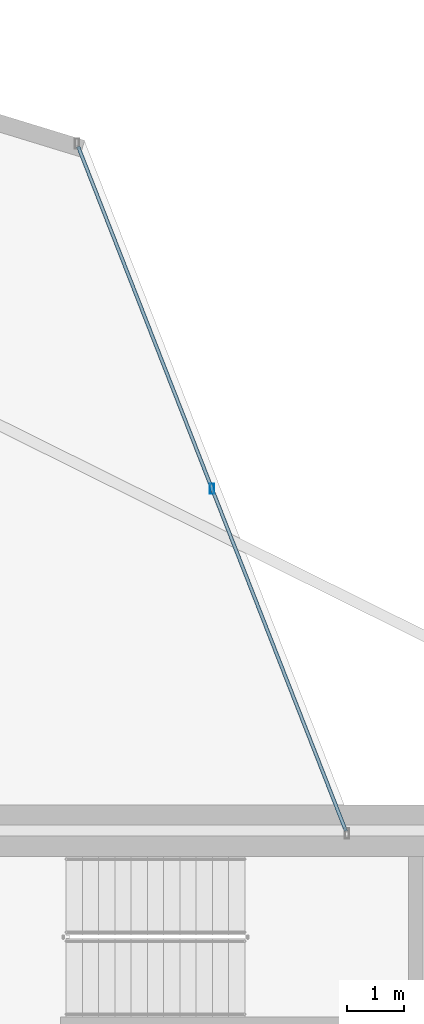
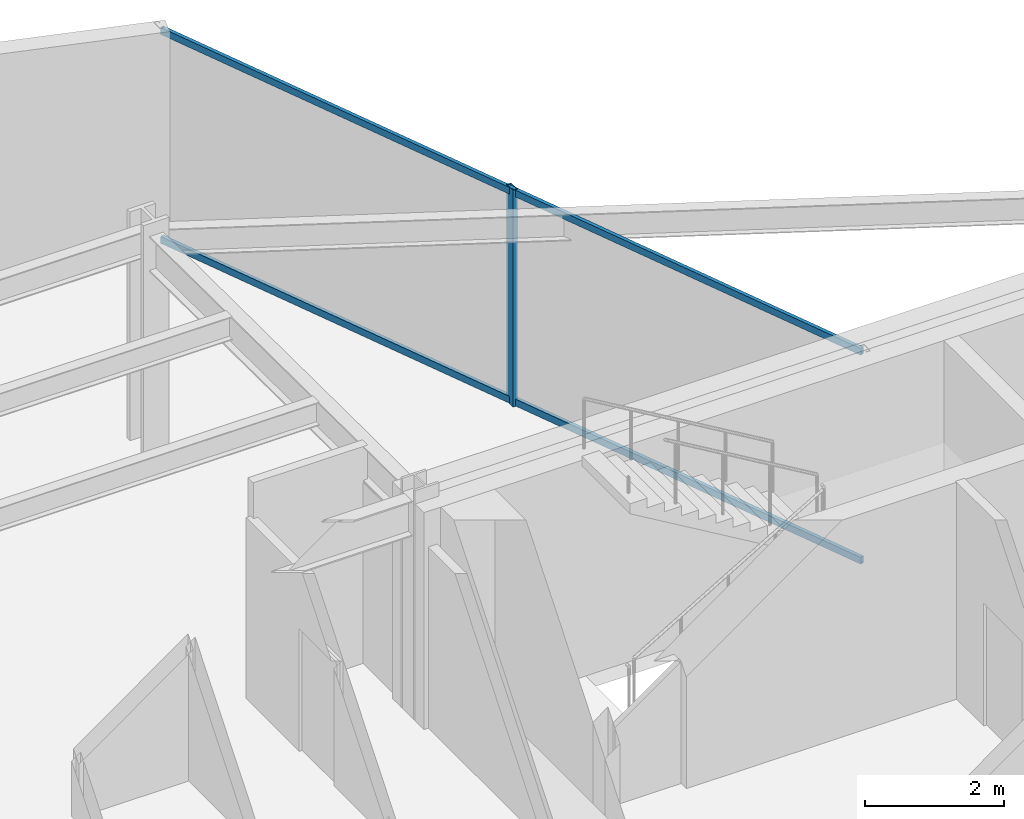
# One storey, part 21 of 30: 3 members, 1 element without a shape of its own.
"""IFC4 building model written with IfcOpenShell, lengths in metres."""

from ifc_helpers import new_model, si_unit, direction, frame, origin, origin_2d, place, context, subcontext, project, spatial, hollow_rectangle, extrude, material, layer, layer_set, material_profile, profile_set, type_object, element, aggregate, save


model = new_model("IFC4")

# Units and contexts
model_context = context("Model", 3, precision=1e-05, world=origin(), true_north=direction((0.0, 1.0)))
body_context = subcontext(model_context, "Body", "Model", "MODEL_VIEW")
ifc_project = project(units=[si_unit("LENGTHUNIT", "METRE"), si_unit("AREAUNIT", "SQUARE_METRE"), si_unit("VOLUMEUNIT", "CUBIC_METRE"), si_unit("PLANEANGLEUNIT", "RADIAN"), si_unit("MASSUNIT", "GRAM", prefix="KILO")], contexts=[model_context])

# Site, building, storey
site_placement = place(None, origin())
site = spatial("IfcSite", under=ifc_project, at=site_placement, CompositionType="ELEMENT")
building_placement = place(site_placement, origin())
building = spatial("IfcBuilding", under=site, at=building_placement, Name="Veymaron Broadcast Tower", CompositionType="ELEMENT")
storey_placement = place(building_placement, frame((0.0, 0.0, 54.0)))
storey = spatial("IfcBuildingStorey", under=building, at=storey_placement, Name="L11", CompositionType="ELEMENT", Elevation=54.0)

# Curtain wall, members
ifc_material_1 = material(Name="Anodised aluminium AA 6063-T6 and laminated low-E dark glass", Category="aluminium")
ifc_layer = layer(ifc_material_1, 0.179931640625)
ifc_layer_set = layer_set([ifc_layer], Name="Anodised aluminium AA 6063-T6 and laminated low-E dark glass")
curtain_wall_type = type_object("IfcCurtainWallType", Name="CW-SYS-02", PredefinedType="NOTDEFINED", material=ifc_layer_set)
curtain_wall_placement = place(storey_placement, origin())
curtain_wall = element("IfcCurtainWall", 1, at=curtain_wall_placement, inside=storey, type_object=curtain_wall_type, Name="L11 dark-glass curtain wall CW-L11-E5-1", PredefinedType="NOTDEFINED")
ifc_material_2 = material(Name="Anodised aluminium AA 6063-T6", Category="aluminium")
ifc_material_profile_1 = material_profile(ifc_material_2, hollow_rectangle(XDim=0.074951171875, YDim=0.179931640625, WallThickness=0.0048828125, at=origin_2d()), Name="AL180X75X5")
ifc_profile_set_1 = profile_set([ifc_material_profile_1], Name="Anodised aluminium AA 6063-T6")
member_type_1 = type_object("IfcMemberType", Name="CW-MUL-02", PredefinedType="MULLION", material=ifc_profile_set_1)
member_1_placement = place(storey_placement, frame((43.989501953125, 38.0009765625, 0.0), z_axis=(0.0, 0.0, 1.0), x_axis=(1.0, 0.0, 0.0)))
member_1 = element("IfcMember", 2, at=member_1_placement, type_object=member_type_1, Name="CW-L11-E5-1 mullion 1", PredefinedType="MULLION", context=body_context, shape_type="SweptSolid", body=[
    extrude(hollow_rectangle(XDim=0.074951171875, YDim=0.179931640625, WallThickness=0.0048828125, at=origin_2d()), origin(), (0.0, 0.0, 1.0), 3.81005859375),
])
ifc_material_profile_2 = material_profile(ifc_material_2, hollow_rectangle(XDim=0.06005859375, YDim=0.1201171875, WallThickness=0.00390625, at=origin_2d()), Name="AL120X60X4")
ifc_profile_set_2 = profile_set([ifc_material_profile_2], Name="Anodised aluminium AA 6063-T6")
member_type_2 = type_object("IfcMemberType", Name="CW-TRN-02", PredefinedType="USERDEFINED", material=ifc_profile_set_2)
member_2_placement = place(storey_placement, frame((46.33837890625, 31.99560546875, 0.070068359375), z_axis=(-0.364290854908, 0.931285226464, 0.0), x_axis=(-0.931285226464, -0.364290854908, 0.0)))
member_2 = element("IfcMember", 3, at=member_2_placement, type_object=member_type_2, Name="CW-L11-E5-1 transom B", ObjectType="TRANSOM", PredefinedType="USERDEFINED", context=body_context, shape_type="SweptSolid", body=[
    extrude(hollow_rectangle(XDim=0.06005859375, YDim=0.1201171875, WallThickness=0.00390625, at=origin_2d()), origin(), (0.0, 0.0, 1.0), 12.89697265625),
])
member_3_placement = place(storey_placement, frame((46.33837890625, 31.99560546875, 3.739990234375), z_axis=(-0.364290854908, 0.931285226464, 0.0), x_axis=(-0.931285226464, -0.364290854908, 0.0)))
member_3 = element("IfcMember", 4, at=member_3_placement, type_object=member_type_2, Name="CW-L11-E5-1 transom T", ObjectType="TRANSOM", PredefinedType="USERDEFINED", context=body_context, shape_type="SweptSolid", body=[
    extrude(hollow_rectangle(XDim=0.06005859375, YDim=0.1201171875, WallThickness=0.00390625, at=origin_2d()), origin(), (0.0, 0.0, 1.0), 12.89697265625),
])
aggregate(curtain_wall, [member_1, member_2, member_3])

save(model, "model.ifc")
